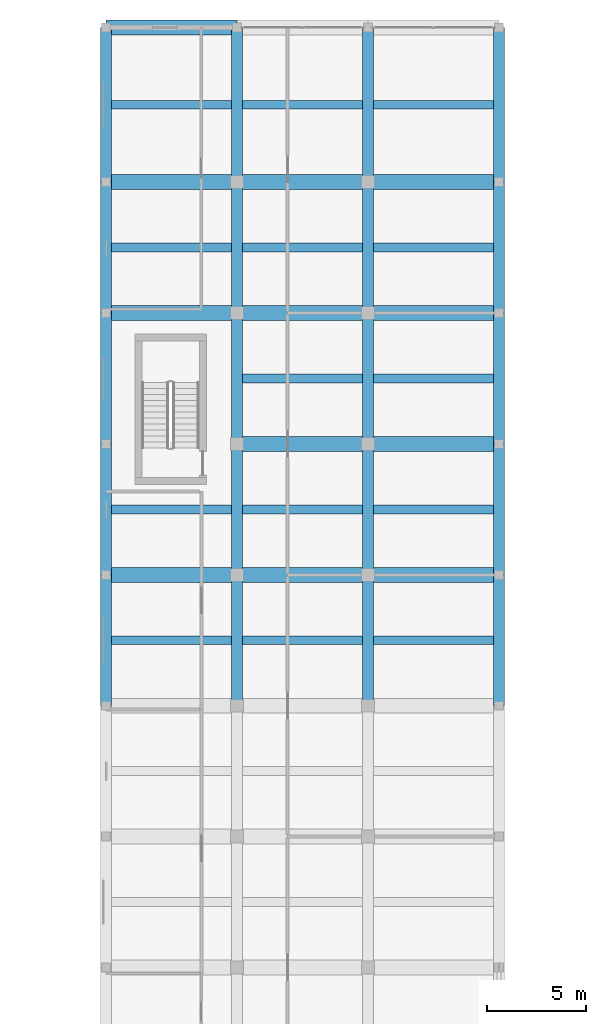
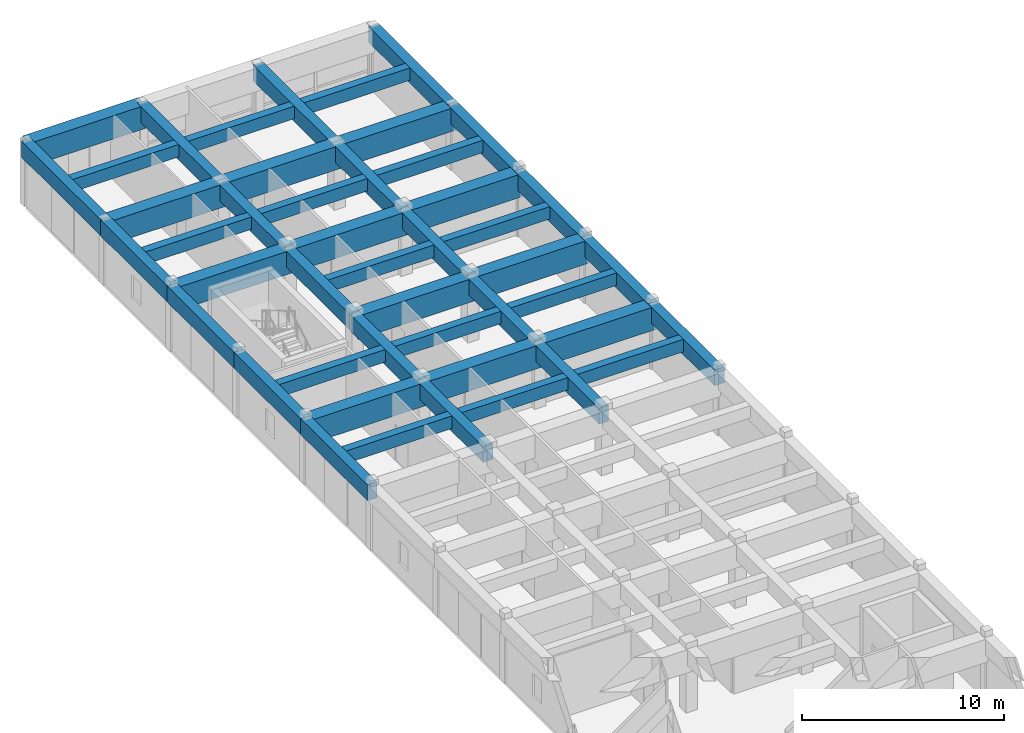
# One storey, part 110 of 157: 46 beams.
"""IFC4 building model written with IfcOpenShell, lengths in metres."""

from ifc_helpers import new_model, si_unit, direction, frame, origin, origin_2d, place, context, subcontext, project, spatial, rectangle, extrude, material, material_profile, profile_set, type_object, element, save


model = new_model("IFC4")

# Units and contexts
model_context = context("Model", 3, precision=1e-05, world=origin(), true_north=direction((0.0, 1.0)))
body_context = subcontext(model_context, "Body", "Model", "MODEL_VIEW")
ifc_project = project(units=[si_unit("LENGTHUNIT", "METRE"), si_unit("AREAUNIT", "SQUARE_METRE"), si_unit("VOLUMEUNIT", "CUBIC_METRE"), si_unit("PLANEANGLEUNIT", "RADIAN"), si_unit("MASSUNIT", "GRAM", prefix="KILO")], contexts=[model_context])

# Site, building, storey
site_placement = place(None, origin())
site = spatial("IfcSite", under=ifc_project, at=site_placement, CompositionType="ELEMENT")
building_placement = place(site_placement, origin())
building = spatial("IfcBuilding", under=site, at=building_placement, Name="Karori Crest Natural Sciences Institute", CompositionType="ELEMENT")
storey_placement = place(building_placement, frame((0.0, 0.0, 13.300048828125)))
storey = spatial("IfcBuildingStorey", under=building, at=storey_placement, Name="L03", CompositionType="ELEMENT", Elevation=13.300048828125)

# Beams
ifc_material = material(Name="Concrete 50 MPa", Category="concrete")
ifc_material_profile_1 = material_profile(ifc_material, rectangle(XDim=0.75, YDim=1.39990234375, at=origin_2d()), Name="RCB750x1400")
ifc_profile_set_1 = profile_set([ifc_material_profile_1], Name="Concrete 50 MPa")
beam_type_1 = type_object("IfcBeamType", Name="BT-17", PredefinedType="BEAM", material=ifc_profile_set_1)
beam_1_placement = place(storey_placement, frame((7.39990234375, 162.199951171875, 3.14990234375), z_axis=(1.0, 0.0, 0.0), x_axis=(0.0, 1.0, 0.0)))
element("IfcBeam", 1, at=beam_1_placement, inside=storey, type_object=beam_type_1, Name="Beam B-1676", PredefinedType="BEAM", context=body_context, shape_type="SweptSolid", body=[
    extrude(rectangle(XDim=0.75, YDim=1.39990234375, at=origin_2d()), origin(), (0.0, 0.0, 1.0), 6.60009765625),
])
ifc_material_profile_2 = material_profile(ifc_material, rectangle(XDim=0.75, YDim=1.39990234375, at=origin_2d()), Name="RCB750x1400")
ifc_profile_set_2 = profile_set([ifc_material_profile_2], Name="Concrete 50 MPa")
beam_type_2 = type_object("IfcBeamType", Name="BT-17-IL", PredefinedType="BEAM", material=ifc_profile_set_2)
for number, where, z_axis, x_axis, name in (
    (2, (7.39990234375, 134.60009765625, 3.14990234375), (1.0, 0.0, 0.0), (0.0, 1.0, 0.0), "Beam B-1665"),
    (3, (14.0, 134.60009765625, 3.14990234375), (1.0, 0.0, 0.0), (0.0, 1.0, 0.0), "Beam B-1666"),
):
    element("IfcBeam", number, at=place(storey_placement, frame(where, z_axis=z_axis, x_axis=x_axis)), inside=storey, type_object=beam_type_2, Name=name, PredefinedType="BEAM", context=body_context, shape_type="SweptSolid", body=[
        extrude(rectangle(XDim=0.75, YDim=1.39990234375, at=origin_2d()), origin(), (0.0, 0.0, 1.0), 6.60009765625),
    ])
beam_2_placement = place(storey_placement, frame((20.60009765625, 134.60009765625, 3.14990234375), z_axis=(1.0, 0.0, 0.0), x_axis=(0.0, 1.0, 0.0)))
element("IfcBeam", 4, at=beam_2_placement, inside=storey, type_object=beam_type_2, Name="Beam B-1667", PredefinedType="BEAM", context=body_context, shape_type="SweptSolid", body=[
    extrude(rectangle(XDim=0.75, YDim=1.39990234375, at=origin_2d()), origin(), (0.0, 0.0, 1.0), 6.599853515625),
])
beam_3_placement = place(storey_placement, frame((14.0, 141.199951171875, 3.14990234375), z_axis=(1.0, 0.0, 0.0), x_axis=(0.0, 1.0, 0.0)))
element("IfcBeam", 5, at=beam_3_placement, inside=storey, type_object=beam_type_2, Name="Beam B-1668", PredefinedType="BEAM", context=body_context, shape_type="SweptSolid", body=[
    extrude(rectangle(XDim=0.75, YDim=1.39990234375, at=origin_2d()), origin(), (0.0, 0.0, 1.0), 6.60009765625),
])
beam_4_placement = place(storey_placement, frame((20.60009765625, 141.199951171875, 3.14990234375), z_axis=(1.0, 0.0, 0.0), x_axis=(0.0, 1.0, 0.0)))
element("IfcBeam", 6, at=beam_4_placement, inside=storey, type_object=beam_type_2, Name="Beam B-1669", PredefinedType="BEAM", context=body_context, shape_type="SweptSolid", body=[
    extrude(rectangle(XDim=0.75, YDim=1.39990234375, at=origin_2d()), origin(), (0.0, 0.0, 1.0), 6.599853515625),
])
for number, where, z_axis, x_axis, name in (
    (7, (7.39990234375, 147.800048828125, 3.14990234375), (1.0, 0.0, 0.0), (0.0, 1.0, 0.0), "Beam B-1670"),
    (8, (14.0, 147.800048828125, 3.14990234375), (1.0, 0.0, 0.0), (0.0, 1.0, 0.0), "Beam B-1671"),
):
    element("IfcBeam", number, at=place(storey_placement, frame(where, z_axis=z_axis, x_axis=x_axis)), inside=storey, type_object=beam_type_2, Name=name, PredefinedType="BEAM", context=body_context, shape_type="SweptSolid", body=[
        extrude(rectangle(XDim=0.75, YDim=1.39990234375, at=origin_2d()), origin(), (0.0, 0.0, 1.0), 6.60009765625),
    ])
beam_5_placement = place(storey_placement, frame((20.60009765625, 147.800048828125, 3.14990234375), z_axis=(1.0, 0.0, 0.0), x_axis=(0.0, 1.0, 0.0)))
element("IfcBeam", 9, at=beam_5_placement, inside=storey, type_object=beam_type_2, Name="Beam B-1672", PredefinedType="BEAM", context=body_context, shape_type="SweptSolid", body=[
    extrude(rectangle(XDim=0.75, YDim=1.39990234375, at=origin_2d()), origin(), (0.0, 0.0, 1.0), 6.599853515625),
])
for number, where, z_axis, x_axis, name in (
    (10, (7.39990234375, 154.39990234375, 3.14990234375), (1.0, 0.0, 0.0), (0.0, 1.0, 0.0), "Beam B-1673"),
    (11, (14.0, 154.39990234375, 3.14990234375), (1.0, 0.0, 0.0), (0.0, 1.0, 0.0), "Beam B-1674"),
):
    element("IfcBeam", number, at=place(storey_placement, frame(where, z_axis=z_axis, x_axis=x_axis)), inside=storey, type_object=beam_type_2, Name=name, PredefinedType="BEAM", context=body_context, shape_type="SweptSolid", body=[
        extrude(rectangle(XDim=0.75, YDim=1.39990234375, at=origin_2d()), origin(), (0.0, 0.0, 1.0), 6.60009765625),
    ])
beam_6_placement = place(storey_placement, frame((20.60009765625, 154.39990234375, 3.14990234375), z_axis=(1.0, 0.0, 0.0), x_axis=(0.0, 1.0, 0.0)))
element("IfcBeam", 12, at=beam_6_placement, inside=storey, type_object=beam_type_2, Name="Beam B-1675", PredefinedType="BEAM", context=body_context, shape_type="SweptSolid", body=[
    extrude(rectangle(XDim=0.75, YDim=1.39990234375, at=origin_2d()), origin(), (0.0, 0.0, 1.0), 6.599853515625),
])
ifc_material_profile_3 = material_profile(ifc_material, rectangle(XDim=0.550048828125, YDim=0.949951171875, at=origin_2d()), Name="RCB550x950")
ifc_profile_set_3 = profile_set([ifc_material_profile_3], Name="Concrete 50 MPa")
beam_type_3 = type_object("IfcBeamType", Name="BT-34", PredefinedType="BEAM", material=ifc_profile_set_3)
beam_7_placement = place(storey_placement, frame((7.39990234375, 128.0, 3.375), z_axis=(0.0, 1.0, 0.0), x_axis=(-1.0, 0.0, 0.0)))
element("IfcBeam", 13, at=beam_7_placement, inside=storey, type_object=beam_type_3, Name="Beam B-1684", PredefinedType="BEAM", context=body_context, shape_type="SweptSolid", body=[
    extrude(rectangle(XDim=0.550048828125, YDim=0.949951171875, at=origin_2d()), origin(), (0.0, 0.0, 1.0), 6.60009765625),
])
beam_8_placement = place(storey_placement, frame((7.39990234375, 134.60009765625, 3.375), z_axis=(0.0, 1.0, 0.0), x_axis=(-1.0, 0.0, 0.0)))
element("IfcBeam", 14, at=beam_8_placement, inside=storey, type_object=beam_type_3, Name="Beam B-1685", PredefinedType="BEAM", context=body_context, shape_type="SweptSolid", body=[
    extrude(rectangle(XDim=0.550048828125, YDim=0.949951171875, at=origin_2d()), origin(), (0.0, 0.0, 1.0), 6.599853515625),
])
beam_9_placement = place(storey_placement, frame((7.39990234375, 141.199951171875, 3.375), z_axis=(0.0, 1.0, 0.0), x_axis=(-1.0, 0.0, 0.0)))
element("IfcBeam", 15, at=beam_9_placement, inside=storey, type_object=beam_type_3, Name="Beam B-1686", PredefinedType="BEAM", context=body_context, shape_type="SweptSolid", body=[
    extrude(rectangle(XDim=0.550048828125, YDim=0.949951171875, at=origin_2d()), origin(), (0.0, 0.0, 1.0), 6.60009765625),
])
beam_10_placement = place(storey_placement, frame((7.39990234375, 147.800048828125, 3.375), z_axis=(0.0, 1.0, 0.0), x_axis=(-1.0, 0.0, 0.0)))
element("IfcBeam", 16, at=beam_10_placement, inside=storey, type_object=beam_type_3, Name="Beam B-1687", PredefinedType="BEAM", context=body_context, shape_type="SweptSolid", body=[
    extrude(rectangle(XDim=0.550048828125, YDim=0.949951171875, at=origin_2d()), origin(), (0.0, 0.0, 1.0), 6.599853515625),
])
beam_11_placement = place(storey_placement, frame((7.39990234375, 154.39990234375, 3.375), z_axis=(0.0, 1.0, 0.0), x_axis=(-1.0, 0.0, 0.0)))
element("IfcBeam", 17, at=beam_11_placement, inside=storey, type_object=beam_type_3, Name="Beam B-1688", PredefinedType="BEAM", context=body_context, shape_type="SweptSolid", body=[
    extrude(rectangle(XDim=0.550048828125, YDim=0.949951171875, at=origin_2d()), origin(), (0.0, 0.0, 1.0), 7.800048828125),
])
beam_12_placement = place(storey_placement, frame((27.199951171875, 128.0, 3.375), z_axis=(0.0, 1.0, 0.0), x_axis=(-1.0, 0.0, 0.0)))
element("IfcBeam", 18, at=beam_12_placement, inside=storey, type_object=beam_type_3, Name="Beam B-1714", PredefinedType="BEAM", context=body_context, shape_type="SweptSolid", body=[
    extrude(rectangle(XDim=0.550048828125, YDim=0.949951171875, at=origin_2d()), origin(), (0.0, 0.0, 1.0), 6.60009765625),
])
beam_13_placement = place(storey_placement, frame((27.199951171875, 134.60009765625, 3.375), z_axis=(0.0, 1.0, 0.0), x_axis=(-1.0, 0.0, 0.0)))
element("IfcBeam", 19, at=beam_13_placement, inside=storey, type_object=beam_type_3, Name="Beam B-1715", PredefinedType="BEAM", context=body_context, shape_type="SweptSolid", body=[
    extrude(rectangle(XDim=0.550048828125, YDim=0.949951171875, at=origin_2d()), origin(), (0.0, 0.0, 1.0), 6.599853515625),
])
beam_14_placement = place(storey_placement, frame((27.199951171875, 141.199951171875, 3.375), z_axis=(0.0, 1.0, 0.0), x_axis=(-1.0, 0.0, 0.0)))
element("IfcBeam", 20, at=beam_14_placement, inside=storey, type_object=beam_type_3, Name="Beam B-1716", PredefinedType="BEAM", context=body_context, shape_type="SweptSolid", body=[
    extrude(rectangle(XDim=0.550048828125, YDim=0.949951171875, at=origin_2d()), origin(), (0.0, 0.0, 1.0), 6.60009765625),
])
beam_15_placement = place(storey_placement, frame((27.199951171875, 147.800048828125, 3.375), z_axis=(0.0, 1.0, 0.0), x_axis=(-1.0, 0.0, 0.0)))
element("IfcBeam", 21, at=beam_15_placement, inside=storey, type_object=beam_type_3, Name="Beam B-1717", PredefinedType="BEAM", context=body_context, shape_type="SweptSolid", body=[
    extrude(rectangle(XDim=0.550048828125, YDim=0.949951171875, at=origin_2d()), origin(), (0.0, 0.0, 1.0), 6.599853515625),
])
beam_16_placement = place(storey_placement, frame((27.199951171875, 154.39990234375, 3.375), z_axis=(0.0, 1.0, 0.0), x_axis=(-1.0, 0.0, 0.0)))
element("IfcBeam", 22, at=beam_16_placement, inside=storey, type_object=beam_type_3, Name="Beam B-1718", PredefinedType="BEAM", context=body_context, shape_type="SweptSolid", body=[
    extrude(rectangle(XDim=0.550048828125, YDim=0.949951171875, at=origin_2d()), origin(), (0.0, 0.0, 1.0), 7.800048828125),
])
ifc_material_profile_4 = material_profile(ifc_material, rectangle(XDim=0.550048828125, YDim=0.949951171875, at=origin_2d()), Name="RCB550x950")
ifc_profile_set_4 = profile_set([ifc_material_profile_4], Name="Concrete 50 MPa")
beam_type_4 = type_object("IfcBeamType", Name="BT-34-IL", PredefinedType="BEAM", material=ifc_profile_set_4)
beam_17_placement = place(storey_placement, frame((14.0, 128.0, 3.375), z_axis=(0.0, 1.0, 0.0), x_axis=(-1.0, 0.0, 0.0)))
element("IfcBeam", 23, at=beam_17_placement, inside=storey, type_object=beam_type_4, Name="Beam B-1694", PredefinedType="BEAM", context=body_context, shape_type="SweptSolid", body=[
    extrude(rectangle(XDim=0.550048828125, YDim=0.949951171875, at=origin_2d()), origin(), (0.0, 0.0, 1.0), 6.60009765625),
])
beam_18_placement = place(storey_placement, frame((14.0, 134.60009765625, 3.375), z_axis=(0.0, 1.0, 0.0), x_axis=(-1.0, 0.0, 0.0)))
element("IfcBeam", 24, at=beam_18_placement, inside=storey, type_object=beam_type_4, Name="Beam B-1695", PredefinedType="BEAM", context=body_context, shape_type="SweptSolid", body=[
    extrude(rectangle(XDim=0.550048828125, YDim=0.949951171875, at=origin_2d()), origin(), (0.0, 0.0, 1.0), 6.599853515625),
])
beam_19_placement = place(storey_placement, frame((14.0, 141.199951171875, 3.375), z_axis=(0.0, 1.0, 0.0), x_axis=(-1.0, 0.0, 0.0)))
element("IfcBeam", 25, at=beam_19_placement, inside=storey, type_object=beam_type_4, Name="Beam B-1696", PredefinedType="BEAM", context=body_context, shape_type="SweptSolid", body=[
    extrude(rectangle(XDim=0.550048828125, YDim=0.949951171875, at=origin_2d()), origin(), (0.0, 0.0, 1.0), 6.60009765625),
])
beam_20_placement = place(storey_placement, frame((14.0, 147.800048828125, 3.375), z_axis=(0.0, 1.0, 0.0), x_axis=(-1.0, 0.0, 0.0)))
element("IfcBeam", 26, at=beam_20_placement, inside=storey, type_object=beam_type_4, Name="Beam B-1697", PredefinedType="BEAM", context=body_context, shape_type="SweptSolid", body=[
    extrude(rectangle(XDim=0.550048828125, YDim=0.949951171875, at=origin_2d()), origin(), (0.0, 0.0, 1.0), 6.599853515625),
])
beam_21_placement = place(storey_placement, frame((14.0, 154.39990234375, 3.375), z_axis=(0.0, 1.0, 0.0), x_axis=(-1.0, 0.0, 0.0)))
element("IfcBeam", 27, at=beam_21_placement, inside=storey, type_object=beam_type_4, Name="Beam B-1698", PredefinedType="BEAM", context=body_context, shape_type="SweptSolid", body=[
    extrude(rectangle(XDim=0.550048828125, YDim=0.949951171875, at=origin_2d()), origin(), (0.0, 0.0, 1.0), 7.800048828125),
])
beam_22_placement = place(storey_placement, frame((20.60009765625, 128.0, 3.375), z_axis=(0.0, 1.0, 0.0), x_axis=(-1.0, 0.0, 0.0)))
element("IfcBeam", 28, at=beam_22_placement, inside=storey, type_object=beam_type_4, Name="Beam B-1704", PredefinedType="BEAM", context=body_context, shape_type="SweptSolid", body=[
    extrude(rectangle(XDim=0.550048828125, YDim=0.949951171875, at=origin_2d()), origin(), (0.0, 0.0, 1.0), 6.60009765625),
])
beam_23_placement = place(storey_placement, frame((20.60009765625, 134.60009765625, 3.375), z_axis=(0.0, 1.0, 0.0), x_axis=(-1.0, 0.0, 0.0)))
element("IfcBeam", 29, at=beam_23_placement, inside=storey, type_object=beam_type_4, Name="Beam B-1705", PredefinedType="BEAM", context=body_context, shape_type="SweptSolid", body=[
    extrude(rectangle(XDim=0.550048828125, YDim=0.949951171875, at=origin_2d()), origin(), (0.0, 0.0, 1.0), 6.599853515625),
])
beam_24_placement = place(storey_placement, frame((20.60009765625, 141.199951171875, 3.375), z_axis=(0.0, 1.0, 0.0), x_axis=(-1.0, 0.0, 0.0)))
element("IfcBeam", 30, at=beam_24_placement, inside=storey, type_object=beam_type_4, Name="Beam B-1706", PredefinedType="BEAM", context=body_context, shape_type="SweptSolid", body=[
    extrude(rectangle(XDim=0.550048828125, YDim=0.949951171875, at=origin_2d()), origin(), (0.0, 0.0, 1.0), 6.60009765625),
])
beam_25_placement = place(storey_placement, frame((20.60009765625, 147.800048828125, 3.375), z_axis=(0.0, 1.0, 0.0), x_axis=(-1.0, 0.0, 0.0)))
element("IfcBeam", 31, at=beam_25_placement, inside=storey, type_object=beam_type_4, Name="Beam B-1707", PredefinedType="BEAM", context=body_context, shape_type="SweptSolid", body=[
    extrude(rectangle(XDim=0.550048828125, YDim=0.949951171875, at=origin_2d()), origin(), (0.0, 0.0, 1.0), 6.599853515625),
])
beam_26_placement = place(storey_placement, frame((20.60009765625, 154.39990234375, 3.375), z_axis=(0.0, 1.0, 0.0), x_axis=(-1.0, 0.0, 0.0)))
element("IfcBeam", 32, at=beam_26_placement, inside=storey, type_object=beam_type_4, Name="Beam B-1708", PredefinedType="BEAM", context=body_context, shape_type="SweptSolid", body=[
    extrude(rectangle(XDim=0.550048828125, YDim=0.949951171875, at=origin_2d()), origin(), (0.0, 0.0, 1.0), 7.800048828125),
])
ifc_material_profile_5 = material_profile(ifc_material, rectangle(XDim=0.449951171875, YDim=0.75, at=origin_2d()), Name="RCB450x750")
ifc_profile_set_5 = profile_set([ifc_material_profile_5], Name="Concrete 50 MPa")
beam_type_5 = type_object("IfcBeamType", Name="BT-35", PredefinedType="BEAM", material=ifc_profile_set_5)
for number, where, z_axis, x_axis, name in (
    (33, (7.675048828125, 131.300048828125, 3.474853515625), (1.0, 0.0, 0.0), (0.0, 1.0, 0.0), "Beam B-1722"),
    (34, (7.675048828125, 137.89990234375, 3.474853515625), (1.0, 0.0, 0.0), (0.0, 1.0, 0.0), "Beam B-1723"),
    (35, (7.675048828125, 151.10009765625, 3.474853515625), (1.0, 0.0, 0.0), (0.0, 1.0, 0.0), "Beam B-1724"),
    (36, (7.675048828125, 158.300048828125, 3.474853515625), (1.0, 0.0, 0.0), (0.0, 1.0, 0.0), "Beam B-1725"),
    (37, (14.27490234375, 131.300048828125, 3.474853515625), (1.0, 0.0, 0.0), (0.0, 1.0, 0.0), "Beam B-1731"),
    (38, (14.27490234375, 137.89990234375, 3.474853515625), (1.0, 0.0, 0.0), (0.0, 1.0, 0.0), "Beam B-1732"),
    (39, (14.27490234375, 144.5, 3.474853515625), (1.0, 0.0, 0.0), (0.0, 1.0, 0.0), "Beam B-1733"),
    (40, (14.27490234375, 151.10009765625, 3.474853515625), (1.0, 0.0, 0.0), (0.0, 1.0, 0.0), "Beam B-1734"),
    (41, (14.27490234375, 158.300048828125, 3.474853515625), (1.0, 0.0, 0.0), (0.0, 1.0, 0.0), "Beam B-1735"),
    (42, (20.875, 131.300048828125, 3.474853515625), (1.0, 0.0, 0.0), (0.0, 1.0, 0.0), "Beam B-1740"),
    (43, (20.875, 137.89990234375, 3.474853515625), (1.0, 0.0, 0.0), (0.0, 1.0, 0.0), "Beam B-1741"),
    (44, (20.875, 144.5, 3.474853515625), (1.0, 0.0, 0.0), (0.0, 1.0, 0.0), "Beam B-1742"),
    (45, (20.875, 151.10009765625, 3.474853515625), (1.0, 0.0, 0.0), (0.0, 1.0, 0.0), "Beam B-1743"),
    (46, (20.875, 158.300048828125, 3.474853515625), (1.0, 0.0, 0.0), (0.0, 1.0, 0.0), "Beam B-1744"),
):
    element("IfcBeam", number, at=place(storey_placement, frame(where, z_axis=z_axis, x_axis=x_axis)), inside=storey, type_object=beam_type_5, Name=name, PredefinedType="BEAM", context=body_context, shape_type="SweptSolid", body=[
        extrude(rectangle(XDim=0.449951171875, YDim=0.75, at=origin_2d()), origin(), (0.0, 0.0, 1.0), 6.050048828125),
    ])

save(model, "model.ifc")
